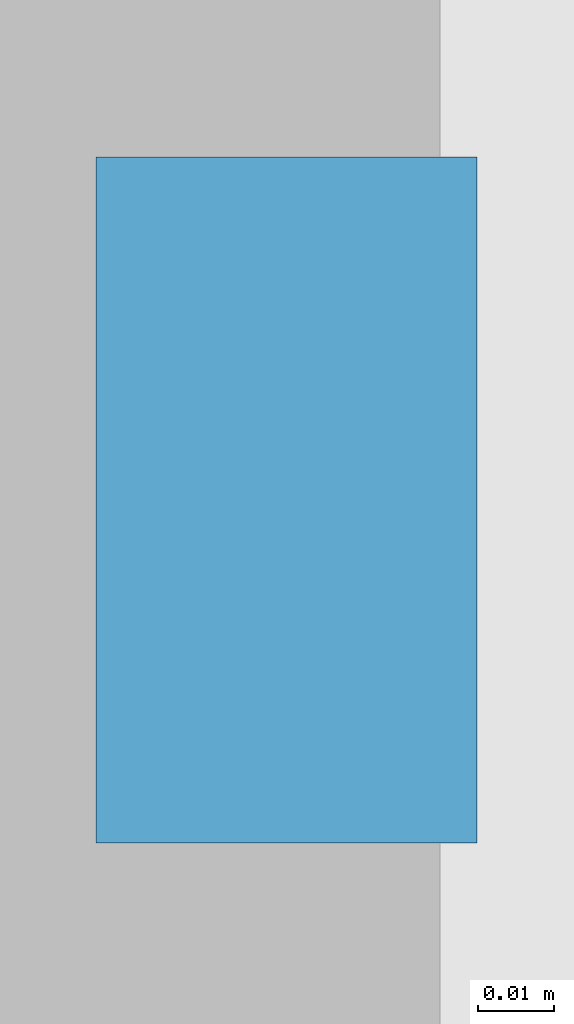
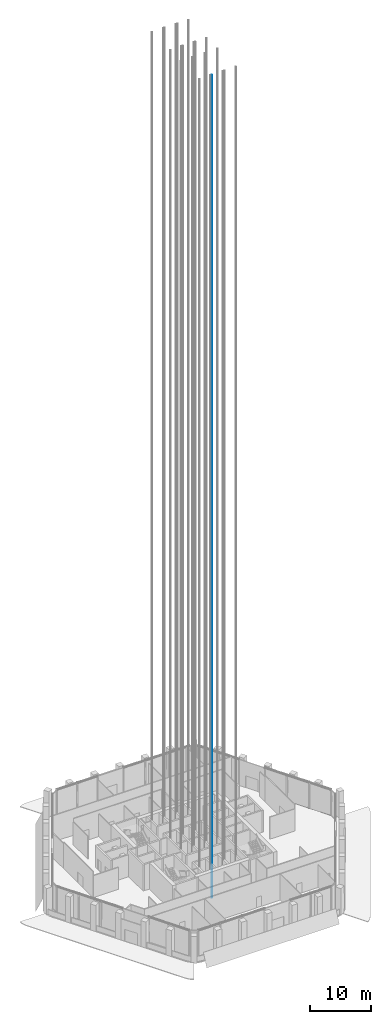
# One storey, part 17 of 42: 1 discrete accessory.
"""IFC4 building model written with IfcOpenShell, lengths in metres."""

from ifc_helpers import new_model, si_unit, direction, frame, origin, origin_2d, place, context, subcontext, project, spatial, rectangle, extrude, element, save


model = new_model("IFC4")

# Units and contexts
model_context = context("Model", 3, precision=1e-05, world=origin(), true_north=direction((0.0, 1.0)))
body_context = subcontext(model_context, "Body", "Model", "MODEL_VIEW")
ifc_project = project(units=[si_unit("LENGTHUNIT", "METRE"), si_unit("AREAUNIT", "SQUARE_METRE"), si_unit("VOLUMEUNIT", "CUBIC_METRE"), si_unit("PLANEANGLEUNIT", "RADIAN"), si_unit("MASSUNIT", "GRAM", prefix="KILO")], contexts=[model_context])

# Site, building, storey
site_placement = place(None, origin())
site = spatial("IfcSite", under=ifc_project, at=site_placement, CompositionType="ELEMENT")
building_placement = place(site_placement, origin())
building = spatial("IfcBuilding", under=site, at=building_placement, Name="Kolab Exchange Tower", CompositionType="ELEMENT")
storey_placement = place(building_placement, frame((0.0, 0.0, 133.39990234375)))
storey = spatial("IfcBuildingStorey", under=building, at=storey_placement, Name="L26", CompositionType="ELEMENT", Elevation=133.39990234375)

# Discrete accessory
discrete_accessory_placement = place(storey_placement, frame((-1.070068359375, -7.800048828125, -1.599853515625), z_axis=(0.0, 0.0, 1.0), x_axis=(1.0, 0.0, 0.0)))
element("IfcDiscreteAccessory", 1, at=discrete_accessory_placement, inside=storey, Name="Guide rail HR11-1", ObjectType="GUIDE RAIL", PredefinedType="USERDEFINED", context=body_context, shape_type="SweptSolid", body=[
    extrude(rectangle(XDim=0.050048828125, YDim=0.090087890625, at=origin_2d()), origin(), (0.0, 0.0, 1.0), 165.60009765625),
])

save(model, "model.ifc")
